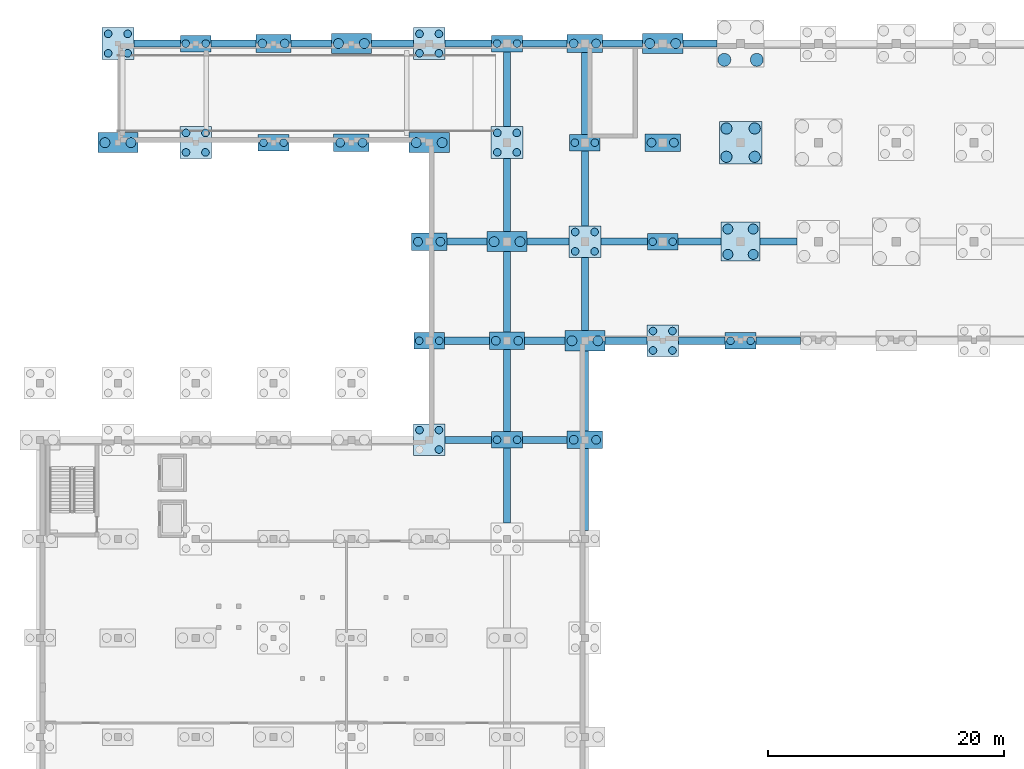
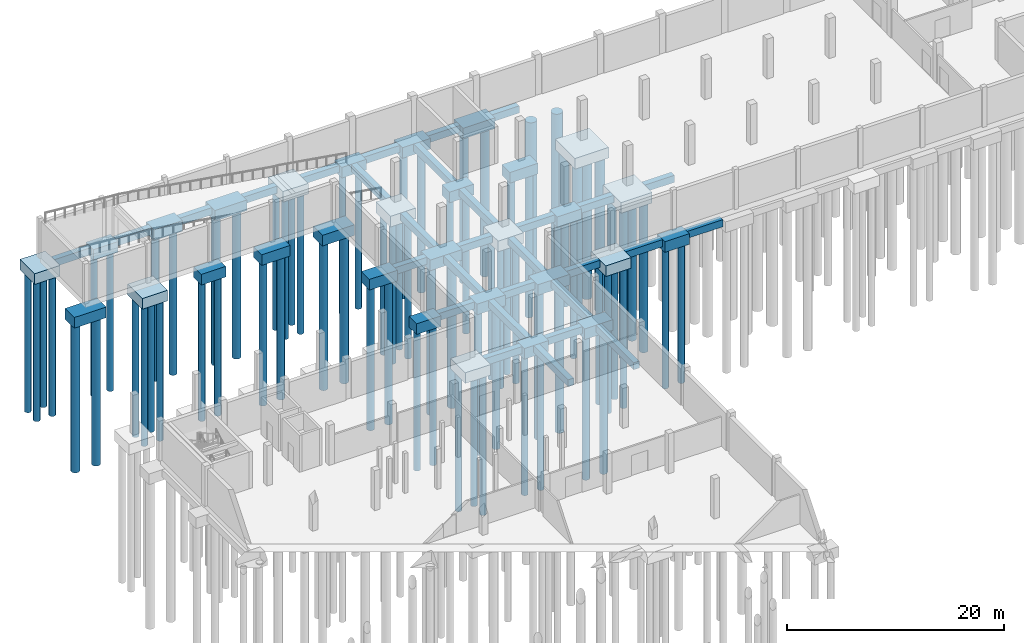
# One storey, part 3 of 25: 79 piles, 60 footings.
"""IFC4 building model written with IfcOpenShell, lengths in metres."""

from ifc_helpers import new_model, si_unit, direction, frame, origin, origin_2d, place, context, subcontext, project, spatial, rectangle, circle, extrude, material, layer, layer_set, material_profile, profile_set, type_object, element, save


model = new_model("IFC4")

# Units and contexts
model_context = context("Model", 3, precision=1e-05, world=origin(), true_north=direction((0.0, 1.0)))
body_context = subcontext(model_context, "Body", "Model", "MODEL_VIEW")
ifc_project = project(units=[si_unit("LENGTHUNIT", "METRE"), si_unit("AREAUNIT", "SQUARE_METRE"), si_unit("VOLUMEUNIT", "CUBIC_METRE"), si_unit("PLANEANGLEUNIT", "RADIAN"), si_unit("MASSUNIT", "GRAM", prefix="KILO")], contexts=[model_context])

# Site, building, storey
site_placement = place(None, origin())
site = spatial("IfcSite", under=ifc_project, at=site_placement, CompositionType="ELEMENT")
building_placement = place(site_placement, origin())
building = spatial("IfcBuilding", under=site, at=building_placement, Name="Qaldarim Faculty of Natural and Applied Sciences", CompositionType="ELEMENT")
storey_placement = place(building_placement, frame((0.0, 0.0, -4.5)))
storey = spatial("IfcBuildingStorey", under=building, at=storey_placement, Name="B01", CompositionType="ELEMENT", Elevation=-4.5)

# Piles
ifc_material = material(Name="Concrete C40/50", Category="concrete")
ifc_material_profile_1 = material_profile(ifc_material, circle(Radius=0.550048828125, at=origin_2d()), Name="PILE-D1100")
ifc_profile_set_1 = profile_set([ifc_material_profile_1], Name="Concrete C40/50")
pile_type_1 = type_object("IfcPileType", Name="BoredPile-D1100-L18300", PredefinedType="BORED", material=ifc_profile_set_1)
for number, where, z_axis, x_axis, name in (
    (1, (58.02490234375, 116.22509765625, -1.699951171875), (0.0, 0.0, -1.0), (1.0, 0.0, 0.0), "Bored pile PL05 1 under FTG-PC08-X10Y15"),
    (2, (60.77490234375, 116.22509765625, -1.699951171875), (0.0, 0.0, -1.0), (1.0, 0.0, 0.0), "Bored pile PL05 3 under FTG-PC08-X10Y15"),
):
    element("IfcPile", number, at=place(storey_placement, frame(where, z_axis=z_axis, x_axis=x_axis)), inside=storey, type_object=pile_type_1, Name=name, PredefinedType="BORED", context=body_context, shape_type="SweptSolid", body=[
        extrude(circle(Radius=0.550048828125, at=origin_2d()), origin(), (0.0, 0.0, 1.0), 18.300048828125),
    ])
ifc_material_profile_2 = material_profile(ifc_material, circle(Radius=0.324951171875, at=origin_2d()), Name="PILE-D650")
ifc_profile_set_2 = profile_set([ifc_material_profile_2], Name="Concrete C40/50")
pile_type_2 = type_object("IfcPileType", Name="BoredPile-D650-L15800", PredefinedType="BORED", material=ifc_profile_set_2)
for number, where, z_axis, x_axis, name in (
    (3, (5.77490234375, 116.77490234375, -1.699951171875), (0.0, 0.0, -1.0), (1.0, 0.0, 0.0), "Bored pile PL01 1 under FTG-PC04-X02Y15"),
    (4, (5.77490234375, 118.425048828125, -1.699951171875), (0.0, 0.0, -1.0), (1.0, 0.0, 0.0), "Bored pile PL01 2 under FTG-PC04-X02Y15"),
    (5, (7.425048828125, 116.77490234375, -1.699951171875), (0.0, 0.0, -1.0), (1.0, 0.0, 0.0), "Bored pile PL01 3 under FTG-PC04-X02Y15"),
    (6, (7.425048828125, 118.425048828125, -1.699951171875), (0.0, 0.0, -1.0), (1.0, 0.0, 0.0), "Bored pile PL01 4 under FTG-PC04-X02Y15"),
    (7, (12.375, 108.375, -1.699951171875), (0.0, 0.0, -1.0), (1.0, 0.0, 0.0), "Bored pile PL01 1 under FTG-PC04-X03Y14"),
    (8, (12.375, 110.02490234375, -1.699951171875), (0.0, 0.0, -1.0), (1.0, 0.0, 0.0), "Bored pile PL01 2 under FTG-PC04-X03Y14"),
    (9, (14.02490234375, 108.375, -1.699951171875), (0.0, 0.0, -1.0), (1.0, 0.0, 0.0), "Bored pile PL01 3 under FTG-PC04-X03Y14"),
    (10, (14.02490234375, 110.02490234375, -1.699951171875), (0.0, 0.0, -1.0), (1.0, 0.0, 0.0), "Bored pile PL01 4 under FTG-PC04-X03Y14"),
    (11, (12.35009765625, 117.60009765625, -1.699951171875), (0.0, 0.0, -1.0), (1.0, 0.0, 0.0), "Bored pile PL01 1 under FTG-PC01-X03Y15"),
    (12, (14.050048828125, 117.60009765625, -1.699951171875), (0.0, 0.0, -1.0), (1.0, 0.0, 0.0), "Bored pile PL01 2 under FTG-PC01-X03Y15"),
    (13, (18.949951171875, 109.199951171875, -1.699951171875), (0.0, 0.0, -1.0), (1.0, 0.0, 0.0), "Bored pile PL01 1 under FTG-PC01-X04Y14"),
    (14, (20.64990234375, 109.199951171875, -1.699951171875), (0.0, 0.0, -1.0), (1.0, 0.0, 0.0), "Bored pile PL01 2 under FTG-PC01-X04Y14"),
    (15, (32.175048828125, 84.824951171875, -1.699951171875), (0.0, 0.0, -1.0), (1.0, 0.0, 0.0), "Bored pile PL01 2 under FTG-PC04-X06Y11"),
    (16, (33.824951171875, 83.175048828125, -1.699951171875), (0.0, 0.0, -1.0), (1.0, 0.0, 0.0), "Bored pile PL01 3 under FTG-PC04-X06Y11"),
    (17, (33.824951171875, 84.824951171875, -1.699951171875), (0.0, 0.0, -1.0), (1.0, 0.0, 0.0), "Bored pile PL01 4 under FTG-PC04-X06Y11"),
    (18, (32.14990234375, 92.39990234375, -1.699951171875), (0.0, 0.0, -1.0), (1.0, 0.0, 0.0), "Bored pile PL01 1 under FTG-PC01-X06Y12"),
    (19, (33.85009765625, 92.39990234375, -1.699951171875), (0.0, 0.0, -1.0), (1.0, 0.0, 0.0), "Bored pile PL01 2 under FTG-PC01-X06Y12"),
    (20, (32.175048828125, 116.77490234375, -1.699951171875), (0.0, 0.0, -1.0), (1.0, 0.0, 0.0), "Bored pile PL01 1 under FTG-PC04-X06Y15"),
    (21, (32.175048828125, 118.425048828125, -1.699951171875), (0.0, 0.0, -1.0), (1.0, 0.0, 0.0), "Bored pile PL01 2 under FTG-PC04-X06Y15"),
    (22, (33.824951171875, 116.77490234375, -1.699951171875), (0.0, 0.0, -1.0), (1.0, 0.0, 0.0), "Bored pile PL01 3 under FTG-PC04-X06Y15"),
    (23, (33.824951171875, 118.425048828125, -1.699951171875), (0.0, 0.0, -1.0), (1.0, 0.0, 0.0), "Bored pile PL01 4 under FTG-PC04-X06Y15"),
    (24, (38.75, 84.0, -1.699951171875), (0.0, 0.0, -1.0), (1.0, 0.0, 0.0), "Bored pile PL01 1 under FTG-PC01-X07Y11"),
    (25, (40.449951171875, 84.0, -1.699951171875), (0.0, 0.0, -1.0), (1.0, 0.0, 0.0), "Bored pile PL01 2 under FTG-PC01-X07Y11"),
    (26, (38.77490234375, 108.375, -1.699951171875), (0.0, 0.0, -1.0), (1.0, 0.0, 0.0), "Bored pile PL01 1 under FTG-PC04-X07Y14"),
    (27, (38.77490234375, 110.02490234375, -1.699951171875), (0.0, 0.0, -1.0), (1.0, 0.0, 0.0), "Bored pile PL01 2 under FTG-PC04-X07Y14"),
    (28, (40.425048828125, 108.375, -1.699951171875), (0.0, 0.0, -1.0), (1.0, 0.0, 0.0), "Bored pile PL01 3 under FTG-PC04-X07Y14"),
    (29, (40.425048828125, 110.02490234375, -1.699951171875), (0.0, 0.0, -1.0), (1.0, 0.0, 0.0), "Bored pile PL01 4 under FTG-PC04-X07Y14"),
    (30, (38.75, 117.60009765625, -1.699951171875), (0.0, 0.0, -1.0), (1.0, 0.0, 0.0), "Bored pile PL01 1 under FTG-PC01-X07Y15"),
    (31, (40.449951171875, 117.60009765625, -1.699951171875), (0.0, 0.0, -1.0), (1.0, 0.0, 0.0), "Bored pile PL01 2 under FTG-PC01-X07Y15"),
    (32, (45.375, 99.97509765625, -1.699951171875), (0.0, 0.0, -1.0), (1.0, 0.0, 0.0), "Bored pile PL01 1 under FTG-PC04-X08Y13"),
    (33, (45.375, 101.625, -1.699951171875), (0.0, 0.0, -1.0), (1.0, 0.0, 0.0), "Bored pile PL01 2 under FTG-PC04-X08Y13"),
    (34, (47.02490234375, 99.97509765625, -1.699951171875), (0.0, 0.0, -1.0), (1.0, 0.0, 0.0), "Bored pile PL01 3 under FTG-PC04-X08Y13"),
    (35, (47.02490234375, 101.625, -1.699951171875), (0.0, 0.0, -1.0), (1.0, 0.0, 0.0), "Bored pile PL01 4 under FTG-PC04-X08Y13"),
    (36, (45.35009765625, 109.199951171875, -1.699951171875), (0.0, 0.0, -1.0), (1.0, 0.0, 0.0), "Bored pile PL01 1 under FTG-PC01-X08Y14"),
    (37, (47.050048828125, 109.199951171875, -1.699951171875), (0.0, 0.0, -1.0), (1.0, 0.0, 0.0), "Bored pile PL01 2 under FTG-PC01-X08Y14"),
    (38, (51.97509765625, 91.574951171875, -1.699951171875), (0.0, 0.0, -1.0), (1.0, 0.0, 0.0), "Bored pile PL01 1 under FTG-PC04-X09Y12"),
    (39, (51.97509765625, 93.22509765625, -1.699951171875), (0.0, 0.0, -1.0), (1.0, 0.0, 0.0), "Bored pile PL01 2 under FTG-PC04-X09Y12"),
    (40, (53.625, 91.574951171875, -1.699951171875), (0.0, 0.0, -1.0), (1.0, 0.0, 0.0), "Bored pile PL01 3 under FTG-PC04-X09Y12"),
    (41, (53.625, 93.22509765625, -1.699951171875), (0.0, 0.0, -1.0), (1.0, 0.0, 0.0), "Bored pile PL01 4 under FTG-PC04-X09Y12"),
    (42, (51.949951171875, 100.800048828125, -1.699951171875), (0.0, 0.0, -1.0), (1.0, 0.0, 0.0), "Bored pile PL01 1 under FTG-PC01-X09Y13"),
    (43, (53.64990234375, 100.800048828125, -1.699951171875), (0.0, 0.0, -1.0), (1.0, 0.0, 0.0), "Bored pile PL01 2 under FTG-PC01-X09Y13"),
    (44, (58.550048828125, 92.39990234375, -1.699951171875), (0.0, 0.0, -1.0), (1.0, 0.0, 0.0), "Bored pile PL01 1 under FTG-PC01-X10Y12"),
    (45, (60.25, 92.39990234375, -1.699951171875), (0.0, 0.0, -1.0), (1.0, 0.0, 0.0), "Bored pile PL01 2 under FTG-PC01-X10Y12"),
):
    element("IfcPile", number, at=place(storey_placement, frame(where, z_axis=z_axis, x_axis=x_axis)), inside=storey, type_object=pile_type_2, Name=name, PredefinedType="BORED", context=body_context, shape_type="SweptSolid", body=[
        extrude(circle(Radius=0.324951171875, at=origin_2d()), origin(), (0.0, 0.0, 1.0), 15.800048828125),
    ])
ifc_material_profile_3 = material_profile(ifc_material, circle(Radius=0.375, at=origin_2d()), Name="PILE-D750")
ifc_profile_set_3 = profile_set([ifc_material_profile_3], Name="Concrete C40/50")
pile_type_3 = type_object("IfcPileType", Name="BoredPile-D750-L16300", PredefinedType="BORED", material=ifc_profile_set_3)
for number, where, z_axis, x_axis, name in (
    (46, (18.85009765625, 117.60009765625, -1.699951171875), (0.0, 0.0, -1.0), (1.0, 0.0, 0.0), "Bored pile PL02 1 under FTG-PC02-X04Y15"),
    (47, (20.75, 117.60009765625, -1.699951171875), (0.0, 0.0, -1.0), (1.0, 0.0, 0.0), "Bored pile PL02 2 under FTG-PC02-X04Y15"),
    (48, (25.449951171875, 109.199951171875, -1.699951171875), (0.0, 0.0, -1.0), (1.0, 0.0, 0.0), "Bored pile PL02 1 under FTG-PC02-X05Y14"),
    (49, (27.35009765625, 109.199951171875, -1.699951171875), (0.0, 0.0, -1.0), (1.0, 0.0, 0.0), "Bored pile PL02 2 under FTG-PC02-X05Y14"),
    (50, (32.050048828125, 100.800048828125, -1.699951171875), (0.0, 0.0, -1.0), (1.0, 0.0, 0.0), "Bored pile PL02 1 under FTG-PC02-X06Y13"),
    (51, (33.949951171875, 100.800048828125, -1.699951171875), (0.0, 0.0, -1.0), (1.0, 0.0, 0.0), "Bored pile PL02 2 under FTG-PC02-X06Y13"),
    (52, (38.64990234375, 92.39990234375, -1.699951171875), (0.0, 0.0, -1.0), (1.0, 0.0, 0.0), "Bored pile PL02 1 under FTG-PC02-X07Y12"),
    (53, (40.550048828125, 92.39990234375, -1.699951171875), (0.0, 0.0, -1.0), (1.0, 0.0, 0.0), "Bored pile PL02 2 under FTG-PC02-X07Y12"),
    (54, (45.25, 84.0, -1.699951171875), (0.0, 0.0, -1.0), (1.0, 0.0, 0.0), "Bored pile PL02 1 under FTG-PC02-X08Y11"),
    (55, (47.14990234375, 84.0, -1.699951171875), (0.0, 0.0, -1.0), (1.0, 0.0, 0.0), "Bored pile PL02 2 under FTG-PC02-X08Y11"),
    (56, (45.25, 117.60009765625, -1.699951171875), (0.0, 0.0, -1.0), (1.0, 0.0, 0.0), "Bored pile PL02 1 under FTG-PC02-X08Y15"),
    (57, (47.14990234375, 117.60009765625, -1.699951171875), (0.0, 0.0, -1.0), (1.0, 0.0, 0.0), "Bored pile PL02 2 under FTG-PC02-X08Y15"),
    (58, (51.85009765625, 109.199951171875, -1.699951171875), (0.0, 0.0, -1.0), (1.0, 0.0, 0.0), "Bored pile PL02 1 under FTG-PC02-X09Y14"),
    (59, (53.75, 109.199951171875, -1.699951171875), (0.0, 0.0, -1.0), (1.0, 0.0, 0.0), "Bored pile PL02 2 under FTG-PC02-X09Y14"),
):
    element("IfcPile", number, at=place(storey_placement, frame(where, z_axis=z_axis, x_axis=x_axis)), inside=storey, type_object=pile_type_3, Name=name, PredefinedType="BORED", context=body_context, shape_type="SweptSolid", body=[
        extrude(circle(Radius=0.375, at=origin_2d()), origin(), (0.0, 0.0, 1.0), 16.300048828125),
    ])
ifc_material_profile_4 = material_profile(ifc_material, circle(Radius=0.425048828125, at=origin_2d()), Name="PILE-D850")
ifc_profile_set_4 = profile_set([ifc_material_profile_4], Name="Concrete C40/50")
pile_type_4 = type_object("IfcPileType", Name="BoredPile-D850-L16800", PredefinedType="BORED", material=ifc_profile_set_4)
for number, where, z_axis, x_axis, name in (
    (60, (5.5, 109.199951171875, -1.699951171875), (0.0, 0.0, -1.0), (1.0, 0.0, 0.0), "Bored pile PL03 1 under FTG-PC03-X02Y14"),
    (61, (7.699951171875, 109.199951171875, -1.699951171875), (0.0, 0.0, -1.0), (1.0, 0.0, 0.0), "Bored pile PL03 2 under FTG-PC03-X02Y14"),
    (62, (25.300048828125, 117.60009765625, -1.699951171875), (0.0, 0.0, -1.0), (1.0, 0.0, 0.0), "Bored pile PL03 1 under FTG-PC03-X05Y15"),
    (63, (27.5, 117.60009765625, -1.699951171875), (0.0, 0.0, -1.0), (1.0, 0.0, 0.0), "Bored pile PL03 2 under FTG-PC03-X05Y15"),
    (64, (31.89990234375, 109.199951171875, -1.699951171875), (0.0, 0.0, -1.0), (1.0, 0.0, 0.0), "Bored pile PL03 1 under FTG-PC03-X06Y14"),
    (65, (34.10009765625, 109.199951171875, -1.699951171875), (0.0, 0.0, -1.0), (1.0, 0.0, 0.0), "Bored pile PL03 2 under FTG-PC03-X06Y14"),
    (66, (38.5, 100.800048828125, -1.699951171875), (0.0, 0.0, -1.0), (1.0, 0.0, 0.0), "Bored pile PL03 1 under FTG-PC03-X07Y13"),
    (67, (40.699951171875, 100.800048828125, -1.699951171875), (0.0, 0.0, -1.0), (1.0, 0.0, 0.0), "Bored pile PL03 2 under FTG-PC03-X07Y13"),
    (68, (45.10009765625, 92.39990234375, -1.699951171875), (0.0, 0.0, -1.0), (1.0, 0.0, 0.0), "Bored pile PL03 1 under FTG-PC03-X08Y12"),
    (69, (47.300048828125, 92.39990234375, -1.699951171875), (0.0, 0.0, -1.0), (1.0, 0.0, 0.0), "Bored pile PL03 2 under FTG-PC03-X08Y12"),
    (70, (51.699951171875, 117.60009765625, -1.699951171875), (0.0, 0.0, -1.0), (1.0, 0.0, 0.0), "Bored pile PL03 1 under FTG-PC03-X09Y15"),
    (71, (53.89990234375, 117.60009765625, -1.699951171875), (0.0, 0.0, -1.0), (1.0, 0.0, 0.0), "Bored pile PL03 2 under FTG-PC03-X09Y15"),
    (72, (58.324951171875, 99.72509765625, -1.699951171875), (0.0, 0.0, -1.0), (1.0, 0.0, 0.0), "Bored pile PL03 1 under FTG-PC06-X10Y13"),
    (73, (58.324951171875, 101.875, -1.699951171875), (0.0, 0.0, -1.0), (1.0, 0.0, 0.0), "Bored pile PL03 2 under FTG-PC06-X10Y13"),
    (74, (60.47509765625, 99.72509765625, -1.699951171875), (0.0, 0.0, -1.0), (1.0, 0.0, 0.0), "Bored pile PL03 3 under FTG-PC06-X10Y13"),
    (75, (60.47509765625, 101.875, -1.699951171875), (0.0, 0.0, -1.0), (1.0, 0.0, 0.0), "Bored pile PL03 4 under FTG-PC06-X10Y13"),
):
    element("IfcPile", number, at=place(storey_placement, frame(where, z_axis=z_axis, x_axis=x_axis)), inside=storey, type_object=pile_type_4, Name=name, PredefinedType="BORED", context=body_context, shape_type="SweptSolid", body=[
        extrude(circle(Radius=0.425048828125, at=origin_2d()), origin(), (0.0, 0.0, 1.0), 16.800048828125),
    ])
ifc_material_profile_5 = material_profile(ifc_material, circle(Radius=0.47509765625, at=origin_2d()), Name="PILE-D950")
ifc_profile_set_5 = profile_set([ifc_material_profile_5], Name="Concrete C40/50")
pile_type_5 = type_object("IfcPileType", Name="BoredPile-D950-L17300", PredefinedType="BORED", material=ifc_profile_set_5)
for number, where, z_axis, x_axis, name in (
    (76, (58.199951171875, 108.0, -1.699951171875), (0.0, 0.0, -1.0), (1.0, 0.0, 0.0), "Bored pile PL04 1 under FTG-PC07-X10Y14"),
    (77, (58.199951171875, 110.39990234375, -1.699951171875), (0.0, 0.0, -1.0), (1.0, 0.0, 0.0), "Bored pile PL04 2 under FTG-PC07-X10Y14"),
    (78, (60.60009765625, 108.0, -1.699951171875), (0.0, 0.0, -1.0), (1.0, 0.0, 0.0), "Bored pile PL04 3 under FTG-PC07-X10Y14"),
    (79, (60.60009765625, 110.39990234375, -1.699951171875), (0.0, 0.0, -1.0), (1.0, 0.0, 0.0), "Bored pile PL04 4 under FTG-PC07-X10Y14"),
):
    element("IfcPile", number, at=place(storey_placement, frame(where, z_axis=z_axis, x_axis=x_axis)), inside=storey, type_object=pile_type_5, Name=name, PredefinedType="BORED", context=body_context, shape_type="SweptSolid", body=[
        extrude(circle(Radius=0.47509765625, at=origin_2d()), origin(), (0.0, 0.0, 1.0), 17.300048828125),
    ])

# Footings
ifc_layer_1 = layer(ifc_material, 1.199951171875)
ifc_layer_set_1 = layer_set([ifc_layer_1], Name="Concrete C40/50")
footing_type_1 = type_object("IfcFootingType", Name="FoundationCap-2600x1400x1200-2P650", PredefinedType="PILE_CAP", material=ifc_layer_set_1)
for number, where, z_axis, x_axis, name in (
    (80, (13.199951171875, 117.60009765625, -1.7998046875), (0.0, 0.0, 1.0), (1.0, 0.0, 0.0), "Pile cap PC01 at X03/Y15"),
    (81, (19.800048828125, 109.199951171875, -1.7998046875), (0.0, 0.0, 1.0), (1.0, 0.0, 0.0), "Pile cap PC01 at X04/Y14"),
    (82, (33.0, 92.39990234375, -1.7998046875), (0.0, 0.0, 1.0), (1.0, 0.0, 0.0), "Pile cap PC01 at X06/Y12"),
    (83, (39.60009765625, 84.0, -1.7998046875), (0.0, 0.0, 1.0), (1.0, 0.0, 0.0), "Pile cap PC01 at X07/Y11"),
    (84, (39.60009765625, 117.60009765625, -1.7998046875), (0.0, 0.0, 1.0), (1.0, 0.0, 0.0), "Pile cap PC01 at X07/Y15"),
    (85, (46.199951171875, 109.199951171875, -1.7998046875), (0.0, 0.0, 1.0), (1.0, 0.0, 0.0), "Pile cap PC01 at X08/Y14"),
    (86, (52.800048828125, 100.800048828125, -1.7998046875), (0.0, 0.0, 1.0), (1.0, 0.0, 0.0), "Pile cap PC01 at X09/Y13"),
    (87, (59.39990234375, 92.39990234375, -1.7998046875), (0.0, 0.0, 1.0), (1.0, 0.0, 0.0), "Pile cap PC01 at X10/Y12"),
):
    element("IfcFooting", number, at=place(storey_placement, frame(where, z_axis=z_axis, x_axis=x_axis)), inside=storey, type_object=footing_type_1, Name=name, PredefinedType="PILE_CAP", context=body_context, shape_type="SweptSolid", body=[
        extrude(rectangle(XDim=2.60009765625, YDim=1.39990234375, at=origin_2d()), origin(), (0.0, 0.0, 1.0), 1.199951171875),
    ])
ifc_layer_2 = layer(ifc_material, 1.199951171875)
ifc_layer_set_2 = layer_set([ifc_layer_2], Name="Concrete C40/50")
footing_type_2 = type_object("IfcFootingType", Name="FoundationCap-2700x2700x1200-4P650", PredefinedType="PILE_CAP", material=ifc_layer_set_2)
for number, where, z_axis, x_axis, name in (
    (88, (6.60009765625, 117.60009765625, -1.7998046875), (0.0, 0.0, 1.0), (1.0, 0.0, 0.0), "Pile cap PC04 at X02/Y15"),
    (89, (13.199951171875, 109.199951171875, -1.7998046875), (0.0, 0.0, 1.0), (1.0, 0.0, 0.0), "Pile cap PC04 at X03/Y14"),
    (90, (33.0, 84.0, -1.7998046875), (0.0, 0.0, 1.0), (1.0, 0.0, 0.0), "Pile cap PC04 at X06/Y11"),
    (91, (33.0, 117.60009765625, -1.7998046875), (0.0, 0.0, 1.0), (1.0, 0.0, 0.0), "Pile cap PC04 at X06/Y15"),
    (92, (39.60009765625, 109.199951171875, -1.7998046875), (0.0, 0.0, 1.0), (1.0, 0.0, 0.0), "Pile cap PC04 at X07/Y14"),
    (93, (46.199951171875, 100.800048828125, -1.7998046875), (0.0, 0.0, 1.0), (1.0, 0.0, 0.0), "Pile cap PC04 at X08/Y13"),
    (94, (52.800048828125, 92.39990234375, -1.7998046875), (0.0, 0.0, 1.0), (1.0, 0.0, 0.0), "Pile cap PC04 at X09/Y12"),
):
    element("IfcFooting", number, at=place(storey_placement, frame(where, z_axis=z_axis, x_axis=x_axis)), inside=storey, type_object=footing_type_2, Name=name, PredefinedType="PILE_CAP", context=body_context, shape_type="SweptSolid", body=[
        extrude(rectangle(XDim=2.699951171875, YDim=2.699951171875, at=origin_2d()), origin(), (0.0, 0.0, 1.0), 1.199951171875),
    ])
ifc_layer_3 = layer(ifc_material, 1.199951171875)
ifc_layer_set_3 = layer_set([ifc_layer_3], Name="Concrete C40/50")
footing_type_3 = type_object("IfcFootingType", Name="FoundationCap-3000x1500x1200-2P750", PredefinedType="PILE_CAP", material=ifc_layer_set_3)
for number, where, z_axis, x_axis, name in (
    (95, (19.800048828125, 117.60009765625, -1.7998046875), (0.0, 0.0, 1.0), (1.0, 0.0, 0.0), "Pile cap PC02 at X04/Y15"),
    (96, (26.39990234375, 109.199951171875, -1.7998046875), (0.0, 0.0, 1.0), (1.0, 0.0, 0.0), "Pile cap PC02 at X05/Y14"),
    (97, (33.0, 100.800048828125, -1.7998046875), (0.0, 0.0, 1.0), (1.0, 0.0, 0.0), "Pile cap PC02 at X06/Y13"),
    (98, (39.60009765625, 92.39990234375, -1.7998046875), (0.0, 0.0, 1.0), (1.0, 0.0, 0.0), "Pile cap PC02 at X07/Y12"),
    (99, (46.199951171875, 84.0, -1.7998046875), (0.0, 0.0, 1.0), (1.0, 0.0, 0.0), "Pile cap PC02 at X08/Y11"),
    (100, (46.199951171875, 117.60009765625, -1.7998046875), (0.0, 0.0, 1.0), (1.0, 0.0, 0.0), "Pile cap PC02 at X08/Y15"),
    (101, (52.800048828125, 109.199951171875, -1.7998046875), (0.0, 0.0, 1.0), (1.0, 0.0, 0.0), "Pile cap PC02 at X09/Y14"),
):
    element("IfcFooting", number, at=place(storey_placement, frame(where, z_axis=z_axis, x_axis=x_axis)), inside=storey, type_object=footing_type_3, Name=name, PredefinedType="PILE_CAP", context=body_context, shape_type="SweptSolid", body=[
        extrude(rectangle(XDim=3.0, YDim=1.5, at=origin_2d()), origin(), (0.0, 0.0, 1.0), 1.199951171875),
    ])
ifc_layer_4 = layer(ifc_material, 1.199951171875)
ifc_layer_set_4 = layer_set([ifc_layer_4], Name="Concrete C40/50")
footing_type_4 = type_object("IfcFootingType", Name="FoundationCap-3300x3300x1200-4P850", PredefinedType="PILE_CAP", material=ifc_layer_set_4)
footing_1_placement = place(storey_placement, frame((59.39990234375, 100.800048828125, -1.7998046875), z_axis=(0.0, 0.0, 1.0), x_axis=(1.0, 0.0, 0.0)))
element("IfcFooting", 102, at=footing_1_placement, inside=storey, type_object=footing_type_4, Name="Pile cap PC06 at X10/Y13", PredefinedType="PILE_CAP", context=body_context, shape_type="SweptSolid", body=[
    extrude(rectangle(XDim=3.300048828125, YDim=3.300048828125, at=origin_2d()), origin(), (0.0, 0.0, 1.0), 1.199951171875),
])
ifc_layer_5 = layer(ifc_material, 1.199951171875)
ifc_layer_set_5 = layer_set([ifc_layer_5], Name="Concrete C40/50")
footing_type_5 = type_object("IfcFootingType", Name="FoundationCap-3400x1700x1200-2P850", PredefinedType="PILE_CAP", material=ifc_layer_set_5)
for number, where, z_axis, x_axis, name in (
    (103, (6.60009765625, 109.199951171875, -1.7998046875), (0.0, 0.0, 1.0), (1.0, 0.0, 0.0), "Pile cap PC03 at X02/Y14"),
    (104, (26.39990234375, 117.60009765625, -1.7998046875), (0.0, 0.0, 1.0), (1.0, 0.0, 0.0), "Pile cap PC03 at X05/Y15"),
    (105, (33.0, 109.199951171875, -1.7998046875), (0.0, 0.0, 1.0), (1.0, 0.0, 0.0), "Pile cap PC03 at X06/Y14"),
    (106, (39.60009765625, 100.800048828125, -1.7998046875), (0.0, 0.0, 1.0), (1.0, 0.0, 0.0), "Pile cap PC03 at X07/Y13"),
    (107, (46.199951171875, 92.39990234375, -1.7998046875), (0.0, 0.0, 1.0), (1.0, 0.0, 0.0), "Pile cap PC03 at X08/Y12"),
    (108, (52.800048828125, 117.60009765625, -1.7998046875), (0.0, 0.0, 1.0), (1.0, 0.0, 0.0), "Pile cap PC03 at X09/Y15"),
):
    element("IfcFooting", number, at=place(storey_placement, frame(where, z_axis=z_axis, x_axis=x_axis)), inside=storey, type_object=footing_type_5, Name=name, PredefinedType="PILE_CAP", context=body_context, shape_type="SweptSolid", body=[
        extrude(rectangle(XDim=3.39990234375, YDim=1.699951171875, at=origin_2d()), origin(), (0.0, 0.0, 1.0), 1.199951171875),
    ])
ifc_layer_6 = layer(ifc_material, 1.199951171875)
ifc_layer_set_6 = layer_set([ifc_layer_6], Name="Concrete C40/50")
footing_type_6 = type_object("IfcFootingType", Name="FoundationCap-3600x3600x1200-4P950", PredefinedType="PILE_CAP", material=ifc_layer_set_6)
footing_2_placement = place(storey_placement, frame((59.39990234375, 109.199951171875, -1.7998046875), z_axis=(0.0, 0.0, 1.0), x_axis=(1.0, 0.0, 0.0)))
element("IfcFooting", 109, at=footing_2_placement, inside=storey, type_object=footing_type_6, Name="Pile cap PC07 at X10/Y14", PredefinedType="PILE_CAP", context=body_context, shape_type="SweptSolid", body=[
    extrude(rectangle(XDim=3.60009765625, YDim=3.60009765625, at=origin_2d()), origin(), (0.0, 0.0, 1.0), 1.199951171875),
])
ifc_layer_7 = layer(ifc_material, 0.800048828125)
ifc_layer_set_7 = layer_set([ifc_layer_7], Name="Concrete C40/50")
footing_type_7 = type_object("IfcFootingType", Name="FoundationTie-2900x600x800", PredefinedType="STRIP_FOOTING", material=ifc_layer_set_7)
footing_3_placement = place(storey_placement, frame((55.949951171875, 117.60009765625, -1.39990234375), z_axis=(0.0, 0.0, 1.0), x_axis=(1.0, 0.0, 0.0)))
element("IfcFooting", 110, at=footing_3_placement, inside=storey, type_object=footing_type_7, Name="Strip footing SF10 X09Y15", PredefinedType="STRIP_FOOTING", context=body_context, shape_type="SweptSolid", body=[
    extrude(rectangle(XDim=2.89990234375, YDim=0.60009765625, at=origin_2d()), origin(), (0.0, 0.0, 1.0), 0.800048828125),
])
ifc_layer_8 = layer(ifc_material, 0.800048828125)
ifc_layer_set_8 = layer_set([ifc_layer_8], Name="Concrete C40/50")
footing_type_8 = type_object("IfcFootingType", Name="FoundationTie-3150x600x800", PredefinedType="STRIP_FOOTING", material=ifc_layer_set_8)
footing_4_placement = place(storey_placement, frame((62.625, 100.800048828125, -1.39990234375), z_axis=(0.0, 0.0, 1.0), x_axis=(1.0, 0.0, 0.0)))
element("IfcFooting", 111, at=footing_4_placement, inside=storey, type_object=footing_type_8, Name="Strip footing SF11 X10Y13", PredefinedType="STRIP_FOOTING", context=body_context, shape_type="SweptSolid", body=[
    extrude(rectangle(XDim=3.14990234375, YDim=0.60009765625, at=origin_2d()), origin(), (0.0, 0.0, 1.0), 0.800048828125),
])
ifc_layer_9 = layer(ifc_material, 0.800048828125)
ifc_layer_set_9 = layer_set([ifc_layer_9], Name="Concrete C40/50")
footing_type_9 = type_object("IfcFootingType", Name="FoundationTie-3400x600x800", PredefinedType="STRIP_FOOTING", material=ifc_layer_set_9)
for number, where, z_axis, x_axis, name in (
    (112, (23.0, 117.60009765625, -1.39990234375), (0.0, 0.0, 1.0), (1.0, 0.0, 0.0), "Strip footing SF08 X04Y15"),
    (113, (36.199951171875, 100.800048828125, -1.39990234375), (0.0, 0.0, 1.0), (1.0, 0.0, 0.0), "Strip footing SF08 X06Y13"),
    (114, (42.800048828125, 92.39990234375, -1.39990234375), (0.0, 0.0, 1.0), (1.0, 0.0, 0.0), "Strip footing SF08 X07Y12"),
    (115, (49.39990234375, 117.60009765625, -1.39990234375), (0.0, 0.0, 1.0), (1.0, 0.0, 0.0), "Strip footing SF08 X08Y15"),
):
    element("IfcFooting", number, at=place(storey_placement, frame(where, z_axis=z_axis, x_axis=x_axis)), inside=storey, type_object=footing_type_9, Name=name, PredefinedType="STRIP_FOOTING", context=body_context, shape_type="SweptSolid", body=[
        extrude(rectangle(XDim=3.39990234375, YDim=0.60009765625, at=origin_2d()), origin(), (0.0, 0.0, 1.0), 0.800048828125),
    ])
ifc_layer_10 = layer(ifc_material, 0.800048828125)
ifc_layer_set_10 = layer_set([ifc_layer_10], Name="Concrete C40/50")
footing_type_10 = type_object("IfcFootingType", Name="FoundationTie-3550x600x800", PredefinedType="STRIP_FOOTING", material=ifc_layer_set_10)
for number, where, z_axis, x_axis, name in (
    (116, (29.875, 117.60009765625, -1.39990234375), (0.0, 0.0, 1.0), (1.0, 0.0, 0.0), "Strip footing SF01 X05Y15"),
    (117, (43.074951171875, 100.800048828125, -1.39990234375), (0.0, 0.0, 1.0), (1.0, 0.0, 0.0), "Strip footing SF01 X07Y13"),
    (118, (49.675048828125, 92.39990234375, -1.39990234375), (0.0, 0.0, 1.0), (1.0, 0.0, 0.0), "Strip footing SF01 X08Y12"),
):
    element("IfcFooting", number, at=place(storey_placement, frame(where, z_axis=z_axis, x_axis=x_axis)), inside=storey, type_object=footing_type_10, Name=name, PredefinedType="STRIP_FOOTING", context=body_context, shape_type="SweptSolid", body=[
        extrude(rectangle(XDim=3.550048828125, YDim=0.60009765625, at=origin_2d()), origin(), (0.0, 0.0, 1.0), 0.800048828125),
    ])
ifc_layer_11 = layer(ifc_material, 0.800048828125)
ifc_layer_set_11 = layer_set([ifc_layer_11], Name="Concrete C40/50")
footing_type_11 = type_object("IfcFootingType", Name="FoundationTie-3650x600x800", PredefinedType="STRIP_FOOTING", material=ifc_layer_set_11)
footing_5_placement = place(storey_placement, frame((55.925048828125, 100.800048828125, -1.39990234375), z_axis=(0.0, 0.0, 1.0), x_axis=(1.0, 0.0, 0.0)))
element("IfcFooting", 119, at=footing_5_placement, inside=storey, type_object=footing_type_11, Name="Strip footing SF09 X09Y13", PredefinedType="STRIP_FOOTING", context=body_context, shape_type="SweptSolid", body=[
    extrude(rectangle(XDim=3.64990234375, YDim=0.60009765625, at=origin_2d()), origin(), (0.0, 0.0, 1.0), 0.800048828125),
])
ifc_layer_12 = layer(ifc_material, 0.800048828125)
ifc_layer_set_12 = layer_set([ifc_layer_12], Name="Concrete C40/50")
footing_type_12 = type_object("IfcFootingType", Name="FoundationTie-3800x600x800", PredefinedType="STRIP_FOOTING", material=ifc_layer_set_12)
for number, where, z_axis, x_axis, name in (
    (120, (16.39990234375, 117.60009765625, -1.39990234375), (0.0, 0.0, 1.0), (1.0, 0.0, 0.0), "Strip footing SF07 X03Y15"),
    (121, (36.199951171875, 92.39990234375, -1.39990234375), (0.0, 0.0, 1.0), (1.0, 0.0, 0.0), "Strip footing SF07 X06Y12"),
    (122, (42.800048828125, 84.0, -1.39990234375), (0.0, 0.0, 1.0), (1.0, 0.0, 0.0), "Strip footing SF07 X07Y11"),
    (123, (42.800048828125, 117.60009765625, -1.39990234375), (0.0, 0.0, 1.0), (1.0, 0.0, 0.0), "Strip footing SF07 X07Y15"),
    (124, (62.60009765625, 92.39990234375, -1.39990234375), (0.0, 0.0, 1.0), (1.0, 0.0, 0.0), "Strip footing SF07 X10Y12"),
):
    element("IfcFooting", number, at=place(storey_placement, frame(where, z_axis=z_axis, x_axis=x_axis)), inside=storey, type_object=footing_type_12, Name=name, PredefinedType="STRIP_FOOTING", context=body_context, shape_type="SweptSolid", body=[
        extrude(rectangle(XDim=3.800048828125, YDim=0.60009765625, at=origin_2d()), origin(), (0.0, 0.0, 1.0), 0.800048828125),
    ])
ifc_layer_13 = layer(ifc_material, 0.800048828125)
ifc_layer_set_13 = layer_set([ifc_layer_13], Name="Concrete C40/50")
footing_type_13 = type_object("IfcFootingType", Name="FoundationTie-3950x600x800", PredefinedType="STRIP_FOOTING", material=ifc_layer_set_13)
for number, where, z_axis, x_axis, name in (
    (125, (9.925048828125, 117.60009765625, -1.39990234375), (0.0, 0.0, 1.0), (1.0, 0.0, 0.0), "Strip footing SF06 X02Y15"),
    (126, (36.324951171875, 84.0, -1.39990234375), (0.0, 0.0, 1.0), (1.0, 0.0, 0.0), "Strip footing SF06 X06Y11"),
    (127, (36.324951171875, 117.60009765625, -1.39990234375), (0.0, 0.0, 1.0), (1.0, 0.0, 0.0), "Strip footing SF06 X06Y15"),
    (128, (49.52490234375, 100.800048828125, -1.39990234375), (0.0, 0.0, 1.0), (1.0, 0.0, 0.0), "Strip footing SF06 X08Y13"),
    (129, (56.125, 92.39990234375, -1.39990234375), (0.0, 0.0, 1.0), (1.0, 0.0, 0.0), "Strip footing SF06 X09Y12"),
):
    element("IfcFooting", number, at=place(storey_placement, frame(where, z_axis=z_axis, x_axis=x_axis)), inside=storey, type_object=footing_type_13, Name=name, PredefinedType="STRIP_FOOTING", context=body_context, shape_type="SweptSolid", body=[
        extrude(rectangle(XDim=3.949951171875, YDim=0.60009765625, at=origin_2d()), origin(), (0.0, 0.0, 1.0), 0.800048828125),
    ])
ifc_layer_14 = layer(ifc_material, 0.800048828125)
ifc_layer_set_14 = layer_set([ifc_layer_14], Name="Concrete C40/50")
footing_type_14 = type_object("IfcFootingType", Name="FoundationTie-6200x600x800", PredefinedType="STRIP_FOOTING", material=ifc_layer_set_14)
for number, where, z_axis, x_axis, name in (
    (130, (39.60009765625, 104.75, -1.39990234375), (0.0, 0.0, 1.0), (0.0, 1.0, 0.0), "Strip footing SF02 X07Y13"),
    (131, (46.199951171875, 96.35009765625, -1.39990234375), (0.0, 0.0, 1.0), (0.0, 1.0, 0.0), "Strip footing SF02 X08Y12"),
):
    element("IfcFooting", number, at=place(storey_placement, frame(where, z_axis=z_axis, x_axis=x_axis)), inside=storey, type_object=footing_type_14, Name=name, PredefinedType="STRIP_FOOTING", context=body_context, shape_type="SweptSolid", body=[
        extrude(rectangle(XDim=6.199951171875, YDim=0.60009765625, at=origin_2d()), origin(), (0.0, 0.0, 1.0), 0.800048828125),
    ])
ifc_layer_15 = layer(ifc_material, 0.800048828125)
ifc_layer_set_15 = layer_set([ifc_layer_15], Name="Concrete C40/50")
footing_type_15 = type_object("IfcFootingType", Name="FoundationTie-6350x600x800", PredefinedType="STRIP_FOOTING", material=ifc_layer_set_15)
for number, where, z_axis, x_axis, name in (
    (132, (39.60009765625, 80.125, -1.39990234375), (0.0, 0.0, 1.0), (0.0, 1.0, 0.0), "Strip footing SF03 X07Y10"),
    (133, (39.60009765625, 113.72509765625, -1.39990234375), (0.0, 0.0, 1.0), (0.0, 1.0, 0.0), "Strip footing SF03 X07Y14"),
    (134, (46.199951171875, 105.324951171875, -1.39990234375), (0.0, 0.0, 1.0), (0.0, 1.0, 0.0), "Strip footing SF03 X08Y13"),
):
    element("IfcFooting", number, at=place(storey_placement, frame(where, z_axis=z_axis, x_axis=x_axis)), inside=storey, type_object=footing_type_15, Name=name, PredefinedType="STRIP_FOOTING", context=body_context, shape_type="SweptSolid", body=[
        extrude(rectangle(XDim=6.35009765625, YDim=0.60009765625, at=origin_2d()), origin(), (0.0, 0.0, 1.0), 0.800048828125),
    ])
ifc_layer_16 = layer(ifc_material, 0.800048828125)
ifc_layer_set_16 = layer_set([ifc_layer_16], Name="Concrete C40/50")
footing_type_16 = type_object("IfcFootingType", Name="FoundationTie-6800x600x800", PredefinedType="STRIP_FOOTING", material=ifc_layer_set_16)
for number, where, z_axis, x_axis, name in (
    (135, (39.60009765625, 96.550048828125, -1.39990234375), (0.0, 0.0, 1.0), (0.0, 1.0, 0.0), "Strip footing SF05 X07Y12"),
    (136, (46.199951171875, 88.14990234375, -1.39990234375), (0.0, 0.0, 1.0), (0.0, 1.0, 0.0), "Strip footing SF05 X08Y11"),
):
    element("IfcFooting", number, at=place(storey_placement, frame(where, z_axis=z_axis, x_axis=x_axis)), inside=storey, type_object=footing_type_16, Name=name, PredefinedType="STRIP_FOOTING", context=body_context, shape_type="SweptSolid", body=[
        extrude(rectangle(XDim=6.800048828125, YDim=0.60009765625, at=origin_2d()), origin(), (0.0, 0.0, 1.0), 0.800048828125),
    ])
ifc_layer_17 = layer(ifc_material, 0.800048828125)
ifc_layer_set_17 = layer_set([ifc_layer_17], Name="Concrete C40/50")
footing_type_17 = type_object("IfcFootingType", Name="FoundationTie-6950x600x800", PredefinedType="STRIP_FOOTING", material=ifc_layer_set_17)
for number, where, z_axis, x_axis, name in (
    (137, (39.60009765625, 88.175048828125, -1.39990234375), (0.0, 0.0, 1.0), (0.0, 1.0, 0.0), "Strip footing SF04 X07Y11"),
    (138, (46.199951171875, 79.77490234375, -1.39990234375), (0.0, 0.0, 1.0), (0.0, 1.0, 0.0), "Strip footing SF04 X08Y10"),
    (139, (46.199951171875, 113.375, -1.39990234375), (0.0, 0.0, 1.0), (0.0, 1.0, 0.0), "Strip footing SF04 X08Y14"),
):
    element("IfcFooting", number, at=place(storey_placement, frame(where, z_axis=z_axis, x_axis=x_axis)), inside=storey, type_object=footing_type_17, Name=name, PredefinedType="STRIP_FOOTING", context=body_context, shape_type="SweptSolid", body=[
        extrude(rectangle(XDim=6.949951171875, YDim=0.60009765625, at=origin_2d()), origin(), (0.0, 0.0, 1.0), 0.800048828125),
    ])

save(model, "model.ifc")
